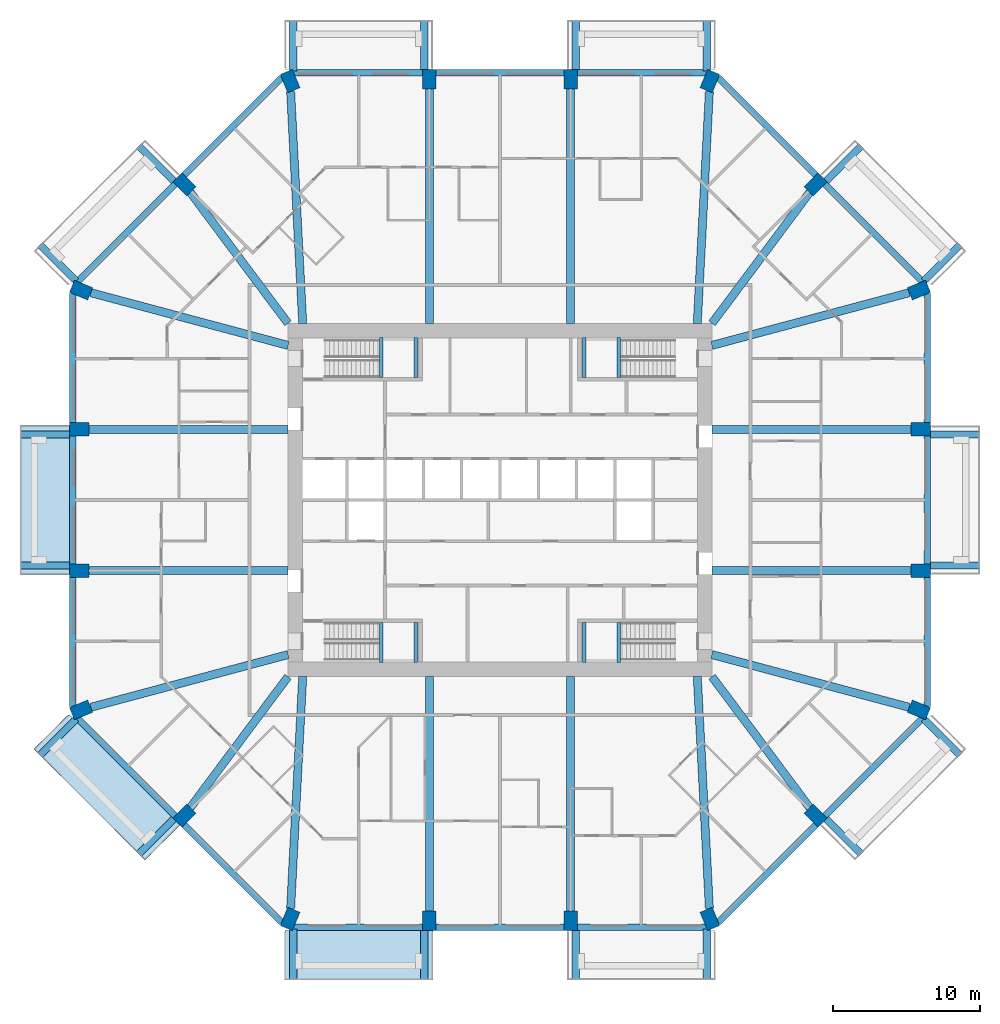
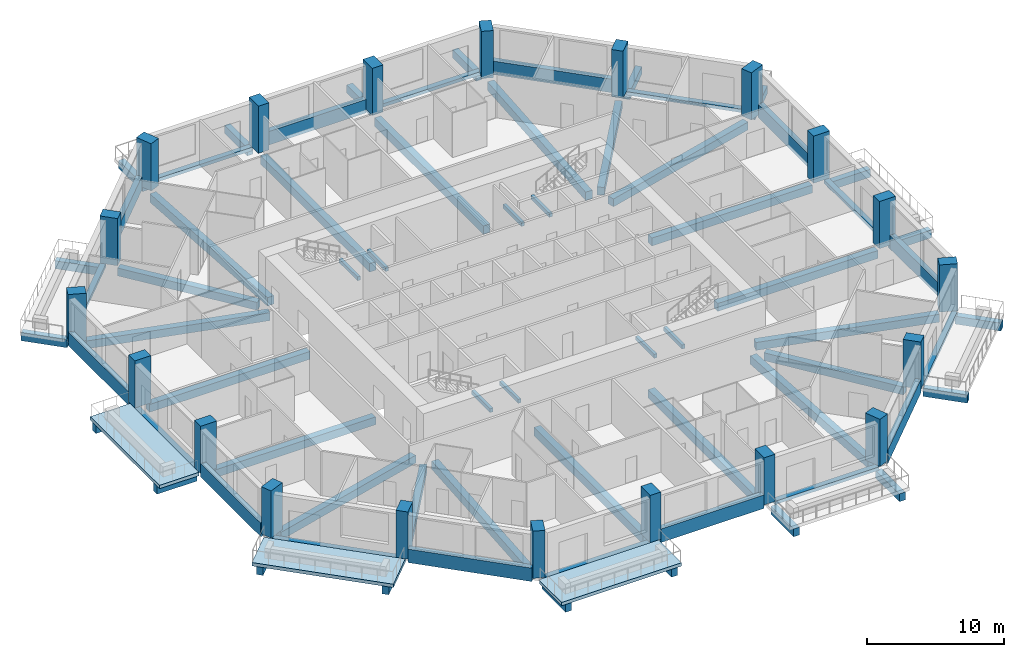
# One storey, part 1 of 13: 68 beams, 20 columns, 3 slabs.
"""IFC4 building model written with IfcOpenShell, lengths in metres."""

from ifc_helpers import new_model, si_unit, direction, frame, origin, origin_2d, place, context, subcontext, project, spatial, polyline, rectangle, outline, extrude, material, layer, layer_set, material_profile, profile_set, type_object, element, save


model = new_model("IFC4")

# Units and contexts
model_context = context("Model", 3, precision=1e-05, world=origin(), true_north=direction((0.0, 1.0)))
body_context = subcontext(model_context, "Body", "Model", "MODEL_VIEW")
ifc_project = project(units=[si_unit("LENGTHUNIT", "METRE"), si_unit("AREAUNIT", "SQUARE_METRE"), si_unit("VOLUMEUNIT", "CUBIC_METRE"), si_unit("PLANEANGLEUNIT", "RADIAN"), si_unit("MASSUNIT", "GRAM", prefix="KILO")], contexts=[model_context])

# Site, building, storey
site_placement = place(None, origin())
site = spatial("IfcSite", under=ifc_project, at=site_placement, CompositionType="ELEMENT")
building_placement = place(site_placement, origin())
building = spatial("IfcBuilding", under=site, at=building_placement, Name="Msitu Wima Residences", CompositionType="ELEMENT")
storey_placement = place(building_placement, frame((0.0, 0.0, 46.5)))
storey = spatial("IfcBuildingStorey", under=building, at=storey_placement, Name="L10", CompositionType="ELEMENT", Elevation=46.5)

# Columns
ifc_material_1 = material(Name="Concrete C80/95", Category="concrete")
ifc_material_profile_1 = material_profile(ifc_material_1, rectangle(XDim=0.89990234375, YDim=1.35009765625, at=origin_2d()), Name="RC 900x1350")
ifc_profile_set_1 = profile_set([ifc_material_profile_1], Name="Concrete C80/95")
column_type = type_object("IfcColumnType", Name="Column RC 900x1350 Concrete C80/95", PredefinedType="COLUMN", material=ifc_profile_set_1)
for number, where, z_axis, x_axis, name in (
    (1, (28.4541015625, -14.2568359375, 0.0), (0.0, 0.0, 1.0), (0.382683496864, 0.923879505795, 0.0), "Column L10 C-E0"),
    (2, (28.574951171875, -4.800048828125, 0.0), (0.0, 0.0, 1.0), (0.0, 1.0, 0.0), "Column L10 C-E1"),
    (3, (28.574951171875, 4.800048828125, 0.0), (0.0, 0.0, 1.0), (0.0, 1.0, 0.0), "Column L10 C-E2"),
    (4, (28.4541015625, 14.2568359375, 0.0), (0.0, 0.0, 1.0), (-0.382683496864, 0.923879505795, 0.0), "Column L10 C-NE0"),
    (5, (21.44091796875, 21.44091796875, 0.0), (0.0, 0.0, 1.0), (-0.707106781187, 0.707106781187, 0.0), "Column L10 C-NE1"),
    (6, (14.2568359375, 28.4541015625, 0.0), (0.0, 0.0, 1.0), (-0.923879505795, 0.382683496864, 0.0), "Column L10 C-N0"),
    (7, (4.800048828125, 28.574951171875, 0.0), (0.0, 0.0, 1.0), (-1.0, 0.0, 0.0), "Column L10 C-N1"),
    (8, (-4.800048828125, 28.574951171875, 0.0), (0.0, 0.0, 1.0), (-1.0, 0.0, 0.0), "Column L10 C-N2"),
    (9, (-14.2568359375, 28.4541015625, 0.0), (0.0, 0.0, 1.0), (-0.923879505795, -0.382683496864, 0.0), "Column L10 C-NW0"),
    (10, (-21.44091796875, 21.44091796875, 0.0), (0.0, 0.0, 1.0), (-0.707106781187, -0.707106781187, 0.0), "Column L10 C-NW1"),
    (11, (-28.4541015625, 14.2568359375, 0.0), (0.0, 0.0, 1.0), (-0.382683496864, -0.923879505795, 0.0), "Column L10 C-W0"),
    (12, (-28.574951171875, 4.800048828125, 0.0), (0.0, 0.0, 1.0), (0.0, -1.0, 0.0), "Column L10 C-W1"),
    (13, (-28.574951171875, -4.800048828125, 0.0), (0.0, 0.0, 1.0), (0.0, -1.0, 0.0), "Column L10 C-W2"),
    (14, (-28.4541015625, -14.2568359375, 0.0), (0.0, 0.0, 1.0), (0.382683496864, -0.923879505795, 0.0), "Column L10 C-SW0"),
    (15, (-21.44091796875, -21.44091796875, 0.0), (0.0, 0.0, 1.0), (0.707106781187, -0.707106781187, 0.0), "Column L10 C-SW1"),
    (16, (-14.2568359375, -28.4541015625, 0.0), (0.0, 0.0, 1.0), (0.923879505795, -0.382683496864, 0.0), "Column L10 C-S0"),
    (17, (-4.800048828125, -28.574951171875, 0.0), (0.0, 0.0, 1.0), (1.0, 0.0, 0.0), "Column L10 C-S1"),
    (18, (4.800048828125, -28.574951171875, 0.0), (0.0, 0.0, 1.0), (1.0, 0.0, 0.0), "Column L10 C-S2"),
    (19, (14.2568359375, -28.4541015625, 0.0), (0.0, 0.0, 1.0), (0.923879505795, 0.382683496864, 0.0), "Column L10 C-SE0"),
    (20, (21.44091796875, -21.44091796875, 0.0), (0.0, 0.0, 1.0), (0.707106781187, 0.707106781187, 0.0), "Column L10 C-SE1"),
):
    element("IfcColumn", number, at=place(storey_placement, frame(where, z_axis=z_axis, x_axis=x_axis)), inside=storey, type_object=column_type, Name=name, PredefinedType="COLUMN", context=body_context, shape_type="SweptSolid", body=[
        extrude(rectangle(XDim=0.89990234375, YDim=1.35009765625, at=origin_2d()), origin(), (0.0, 0.0, 1.0), 4.199951171875),
    ])

# Beams
ifc_material_2 = material(Name="Concrete C50/60", Category="concrete")
ifc_material_profile_2 = material_profile(ifc_material_2, rectangle(XDim=0.550048828125, YDim=0.699951171875, at=origin_2d()), Name="RC 550x700")
ifc_profile_set_2 = profile_set([ifc_material_profile_2], Name="Concrete C50/60")
beam_type_1 = type_object("IfcBeamType", Name="Beam RC 550x700 Concrete C50/60", PredefinedType="BEAM", material=ifc_profile_set_2)
beam_1_placement = place(storey_placement, frame((27.79638671875, -14.080810546875, -0.60009765625), z_axis=(-0.966081778408, 0.258236320891, 0.0), x_axis=(-0.258236320891, -0.966081778408, 0.0)))
element("IfcBeam", 21, at=beam_1_placement, inside=storey, type_object=beam_type_1, Name="Beam L10 C-E0", PredefinedType="BEAM", context=body_context, shape_type="SweptSolid", body=[
    extrude(rectangle(XDim=0.550048828125, YDim=0.699951171875, at=origin_2d()), origin(), (0.0, 0.0, 1.0), 13.878662109375),
])
for number, where, z_axis, x_axis, name in (
    (22, (27.89990234375, -4.800048828125, -0.60009765625), (-1.0, 0.0, 0.0), (0.0, -1.0, 0.0), "Beam L10 C-E1"),
    (23, (27.89990234375, 4.800048828125, -0.60009765625), (-1.0, 0.0, 0.0), (0.0, -1.0, 0.0), "Beam L10 C-E2"),
):
    element("IfcBeam", number, at=place(storey_placement, frame(where, z_axis=z_axis, x_axis=x_axis)), inside=storey, type_object=beam_type_1, Name=name, PredefinedType="BEAM", context=body_context, shape_type="SweptSolid", body=[
        extrude(rectangle(XDim=0.550048828125, YDim=0.699951171875, at=origin_2d()), origin(), (0.0, 0.0, 1.0), 13.5),
    ])
beam_2_placement = place(storey_placement, frame((27.79638671875, 14.080810546875, -0.60009765625), z_axis=(-0.966081778408, -0.258236320891, 0.0), x_axis=(0.258236320891, -0.966081778408, 0.0)))
element("IfcBeam", 24, at=beam_2_placement, inside=storey, type_object=beam_type_1, Name="Beam L10 C-NE0", PredefinedType="BEAM", context=body_context, shape_type="SweptSolid", body=[
    extrude(rectangle(XDim=0.550048828125, YDim=0.699951171875, at=origin_2d()), origin(), (0.0, 0.0, 1.0), 13.878662109375),
])
for number, where, z_axis, x_axis, name in (
    (25, (21.033203125, 20.89404296875, -0.60009765625), (-0.597850242031, -0.801607814398, 0.0), (0.801607814398, -0.597850242031, 0.0), "Beam L10 C-NE1"),
    (26, (-21.033203125, 20.89404296875, -0.60009765625), (0.597850242031, -0.801607814398, 0.0), (0.801607814398, 0.597850242031, 0.0), "Beam L10 C-NW1"),
):
    element("IfcBeam", number, at=place(storey_placement, frame(where, z_axis=z_axis, x_axis=x_axis)), inside=storey, type_object=beam_type_1, Name=name, PredefinedType="BEAM", context=body_context, shape_type="SweptSolid", body=[
        extrude(rectangle(XDim=0.550048828125, YDim=0.699951171875, at=origin_2d()), origin(), (0.0, 0.0, 1.0), 11.09521484375),
    ])
beam_3_placement = place(storey_placement, frame((-27.79638671875, 14.080810546875, -0.60009765625), z_axis=(0.966081778408, -0.258236320891, 0.0), x_axis=(0.258236320891, 0.966081778408, 0.0)))
element("IfcBeam", 27, at=beam_3_placement, inside=storey, type_object=beam_type_1, Name="Beam L10 C-W0", PredefinedType="BEAM", context=body_context, shape_type="SweptSolid", body=[
    extrude(rectangle(XDim=0.550048828125, YDim=0.699951171875, at=origin_2d()), origin(), (0.0, 0.0, 1.0), 13.878662109375),
])
for number, where, z_axis, x_axis, name in (
    (28, (-27.89990234375, 4.800048828125, -0.60009765625), (1.0, 0.0, 0.0), (0.0, 1.0, 0.0), "Beam L10 C-W1"),
    (29, (-27.89990234375, -4.800048828125, -0.60009765625), (1.0, 0.0, 0.0), (0.0, 1.0, 0.0), "Beam L10 C-W2"),
):
    element("IfcBeam", number, at=place(storey_placement, frame(where, z_axis=z_axis, x_axis=x_axis)), inside=storey, type_object=beam_type_1, Name=name, PredefinedType="BEAM", context=body_context, shape_type="SweptSolid", body=[
        extrude(rectangle(XDim=0.550048828125, YDim=0.699951171875, at=origin_2d()), origin(), (0.0, 0.0, 1.0), 13.5),
    ])
beam_4_placement = place(storey_placement, frame((-27.79638671875, -14.080810546875, -0.60009765625), z_axis=(0.966081778408, 0.258236320891, 0.0), x_axis=(-0.258236320891, 0.966081778408, 0.0)))
element("IfcBeam", 30, at=beam_4_placement, inside=storey, type_object=beam_type_1, Name="Beam L10 C-SW0", PredefinedType="BEAM", context=body_context, shape_type="SweptSolid", body=[
    extrude(rectangle(XDim=0.550048828125, YDim=0.699951171875, at=origin_2d()), origin(), (0.0, 0.0, 1.0), 13.878662109375),
])
for number, where, z_axis, x_axis, name in (
    (31, (-21.033203125, -20.89404296875, -0.60009765625), (0.597850242031, 0.801607814398, 0.0), (-0.801607814398, 0.597850242031, 0.0), "Beam L10 C-SW1"),
    (32, (21.033203125, -20.89404296875, -0.60009765625), (-0.597850242031, 0.801607814398, 0.0), (-0.801607814398, -0.597850242031, 0.0), "Beam L10 C-SE1"),
):
    element("IfcBeam", number, at=place(storey_placement, frame(where, z_axis=z_axis, x_axis=x_axis)), inside=storey, type_object=beam_type_1, Name=name, PredefinedType="BEAM", context=body_context, shape_type="SweptSolid", body=[
        extrude(rectangle(XDim=0.550048828125, YDim=0.699951171875, at=origin_2d()), origin(), (0.0, 0.0, 1.0), 11.09521484375),
    ])
ifc_material_profile_3 = material_profile(ifc_material_2, rectangle(XDim=0.550048828125, YDim=0.75, at=origin_2d()), Name="RC 550x750")
ifc_profile_set_3 = profile_set([ifc_material_profile_3], Name="Concrete C50/60")
beam_type_2 = type_object("IfcBeamType", Name="Beam RC 550x750 Concrete C50/60", PredefinedType="BEAM", material=ifc_profile_set_3)
beam_5_placement = place(storey_placement, frame((14.219482421875, 27.739013671875, -0.625), z_axis=(-0.05199418091, -0.998647387796, 0.0), x_axis=(0.998647387796, -0.05199418091, 0.0)))
element("IfcBeam", 33, at=beam_5_placement, inside=storey, type_object=beam_type_2, Name="Beam L10 C-N0", PredefinedType="BEAM", context=body_context, shape_type="SweptSolid", body=[
    extrude(rectangle(XDim=0.550048828125, YDim=0.75, at=origin_2d()), origin(), (0.0, 0.0, 1.0), 15.772216796875),
])
for number, where, z_axis, x_axis, name in (
    (34, (4.800048828125, 27.89990234375, -0.625), (0.0, -1.0, 0.0), (1.0, 0.0, 0.0), "Beam L10 C-N1"),
    (35, (-4.800048828125, 27.89990234375, -0.625), (0.0, -1.0, 0.0), (1.0, 0.0, 0.0), "Beam L10 C-N2"),
):
    element("IfcBeam", number, at=place(storey_placement, frame(where, z_axis=z_axis, x_axis=x_axis)), inside=storey, type_object=beam_type_2, Name=name, PredefinedType="BEAM", context=body_context, shape_type="SweptSolid", body=[
        extrude(rectangle(XDim=0.550048828125, YDim=0.75, at=origin_2d()), origin(), (0.0, 0.0, 1.0), 15.89990234375),
    ])
for number, where, z_axis, x_axis, name in (
    (36, (-14.219482421875, 27.739013671875, -0.625), (0.05199418091, -0.998647387796, 0.0), (0.998647387796, 0.05199418091, 0.0), "Beam L10 C-NW0"),
    (37, (-14.219482421875, -27.739013671875, -0.625), (0.05199418091, 0.998647387796, 0.0), (-0.998647387796, 0.05199418091, 0.0), "Beam L10 C-S0"),
):
    element("IfcBeam", number, at=place(storey_placement, frame(where, z_axis=z_axis, x_axis=x_axis)), inside=storey, type_object=beam_type_2, Name=name, PredefinedType="BEAM", context=body_context, shape_type="SweptSolid", body=[
        extrude(rectangle(XDim=0.550048828125, YDim=0.75, at=origin_2d()), origin(), (0.0, 0.0, 1.0), 15.772216796875),
    ])
for number, where, z_axis, x_axis, name in (
    (38, (-4.800048828125, -27.89990234375, -0.625), (0.0, 1.0, 0.0), (-1.0, 0.0, 0.0), "Beam L10 C-S1"),
    (39, (4.800048828125, -27.89990234375, -0.625), (0.0, 1.0, 0.0), (-1.0, 0.0, 0.0), "Beam L10 C-S2"),
):
    element("IfcBeam", number, at=place(storey_placement, frame(where, z_axis=z_axis, x_axis=x_axis)), inside=storey, type_object=beam_type_2, Name=name, PredefinedType="BEAM", context=body_context, shape_type="SweptSolid", body=[
        extrude(rectangle(XDim=0.550048828125, YDim=0.75, at=origin_2d()), origin(), (0.0, 0.0, 1.0), 15.89990234375),
    ])
beam_6_placement = place(storey_placement, frame((14.219482421875, -27.739013671875, -0.625), z_axis=(-0.05199418091, 0.998647387796, 0.0), x_axis=(-0.998647387796, -0.05199418091, 0.0)))
element("IfcBeam", 40, at=beam_6_placement, inside=storey, type_object=beam_type_2, Name="Beam L10 C-SE0", PredefinedType="BEAM", context=body_context, shape_type="SweptSolid", body=[
    extrude(rectangle(XDim=0.550048828125, YDim=0.75, at=origin_2d()), origin(), (0.0, 0.0, 1.0), 15.772216796875),
])
ifc_material_profile_4 = material_profile(ifc_material_2, rectangle(XDim=0.5, YDim=0.699951171875, at=origin_2d()), Name="RC 500x700")
ifc_profile_set_4 = profile_set([ifc_material_profile_4], Name="Concrete C50/60")
beam_type_3 = type_object("IfcBeamType", Name="Cantilever beam RC 500x700 Concrete C50/60", PredefinedType="BEAM", material=ifc_profile_set_4)
for number, where, z_axis, x_axis, name in (
    (41, (29.25, -4.449951171875, -0.64990234375), (1.0, 0.0, 0.0), (0.0, 1.0, 0.0), "Cantilever beam L10 BA-E1 A"),
    (42, (29.25, 4.449951171875, -0.64990234375), (1.0, 0.0, 0.0), (0.0, 1.0, 0.0), "Cantilever beam L10 BA-E1 B"),
):
    element("IfcBeam", number, at=place(storey_placement, frame(where, z_axis=z_axis, x_axis=x_axis)), inside=storey, type_object=beam_type_3, Name=name, PredefinedType="BEAM", context=body_context, shape_type="SweptSolid", body=[
        extrude(rectangle(XDim=0.5, YDim=0.699951171875, at=origin_2d()), origin(), (0.0, 0.0, 1.0), 3.35009765625),
    ])
beam_7_placement = place(storey_placement, frame((28.78662109375, 14.881591796875, -0.64990234375), z_axis=(0.707106781187, 0.707106781187, 0.0), x_axis=(-0.707106781187, 0.707106781187, 0.0)))
element("IfcBeam", 43, at=beam_7_placement, inside=storey, type_object=beam_type_3, Name="Cantilever beam L10 BA-NE0 A", PredefinedType="BEAM", context=body_context, shape_type="SweptSolid", body=[
    extrude(rectangle(XDim=0.5, YDim=0.699951171875, at=origin_2d()), origin(), (0.0, 0.0, 1.0), 3.468994140625),
])
beam_8_placement = place(storey_placement, frame((22.165771484375, 21.670654296875, -0.64990234375), z_axis=(0.707070340836, 0.707143219659, 0.0), x_axis=(-0.707143219659, 0.707070340836, 0.0)))
element("IfcBeam", 44, at=beam_8_placement, inside=storey, type_object=beam_type_3, Name="Cantilever beam L10 BA-NE0 B", PredefinedType="BEAM", context=body_context, shape_type="SweptSolid", body=[
    extrude(rectangle(XDim=0.5, YDim=0.699951171875, at=origin_2d()), origin(), (0.0, 0.0, 1.0), 3.349853515625),
])
beam_9_placement = place(storey_placement, frame((14.050048828125, 29.130859375, -0.64990234375), z_axis=(0.0, 1.0, 0.0), x_axis=(-1.0, 0.0, 0.0)))
element("IfcBeam", 45, at=beam_9_placement, inside=storey, type_object=beam_type_3, Name="Cantilever beam L10 BA-N0 A", PredefinedType="BEAM", context=body_context, shape_type="SweptSolid", body=[
    extrude(rectangle(XDim=0.5, YDim=0.699951171875, at=origin_2d()), origin(), (0.0, 0.0, 1.0), 3.46923828125),
])
for number, where, z_axis, x_axis, name in (
    (46, (5.14990234375, 29.25, -0.64990234375), (0.0, 1.0, 0.0), (-1.0, 0.0, 0.0), "Cantilever beam L10 BA-N0 B"),
    (47, (-5.14990234375, 29.25, -0.64990234375), (0.0, 1.0, 0.0), (-1.0, 0.0, 0.0), "Cantilever beam L10 BA-N2 A"),
):
    element("IfcBeam", number, at=place(storey_placement, frame(where, z_axis=z_axis, x_axis=x_axis)), inside=storey, type_object=beam_type_3, Name=name, PredefinedType="BEAM", context=body_context, shape_type="SweptSolid", body=[
        extrude(rectangle(XDim=0.5, YDim=0.699951171875, at=origin_2d()), origin(), (0.0, 0.0, 1.0), 3.35009765625),
    ])
beam_10_placement = place(storey_placement, frame((-14.050048828125, 29.130859375, -0.64990234375), z_axis=(0.0, 1.0, 0.0), x_axis=(-1.0, 0.0, 0.0)))
element("IfcBeam", 48, at=beam_10_placement, inside=storey, type_object=beam_type_3, Name="Cantilever beam L10 BA-N2 B", PredefinedType="BEAM", context=body_context, shape_type="SweptSolid", body=[
    extrude(rectangle(XDim=0.5, YDim=0.699951171875, at=origin_2d()), origin(), (0.0, 0.0, 1.0), 3.46923828125),
])
beam_11_placement = place(storey_placement, frame((-22.165771484375, 21.670654296875, -0.64990234375), z_axis=(-0.707070340836, 0.707143219659, 0.0), x_axis=(-0.707143219659, -0.707070340836, 0.0)))
element("IfcBeam", 49, at=beam_11_placement, inside=storey, type_object=beam_type_3, Name="Cantilever beam L10 BA-NW1 A", PredefinedType="BEAM", context=body_context, shape_type="SweptSolid", body=[
    extrude(rectangle(XDim=0.5, YDim=0.699951171875, at=origin_2d()), origin(), (0.0, 0.0, 1.0), 3.349853515625),
])
beam_12_placement = place(storey_placement, frame((-28.78662109375, 14.881591796875, -0.64990234375), z_axis=(-0.707106781187, 0.707106781187, 0.0), x_axis=(-0.707106781187, -0.707106781187, 0.0)))
element("IfcBeam", 50, at=beam_12_placement, inside=storey, type_object=beam_type_3, Name="Cantilever beam L10 BA-NW1 B", PredefinedType="BEAM", context=body_context, shape_type="SweptSolid", body=[
    extrude(rectangle(XDim=0.5, YDim=0.699951171875, at=origin_2d()), origin(), (0.0, 0.0, 1.0), 3.468994140625),
])
for number, where, z_axis, x_axis, name in (
    (51, (-29.25, 4.449951171875, -0.64990234375), (-1.0, 0.0, 0.0), (0.0, -1.0, 0.0), "Cantilever beam L10 BA-W1 A"),
    (52, (-29.25, -4.449951171875, -0.64990234375), (-1.0, 0.0, 0.0), (0.0, -1.0, 0.0), "Cantilever beam L10 BA-W1 B"),
):
    element("IfcBeam", number, at=place(storey_placement, frame(where, z_axis=z_axis, x_axis=x_axis)), inside=storey, type_object=beam_type_3, Name=name, PredefinedType="BEAM", context=body_context, shape_type="SweptSolid", body=[
        extrude(rectangle(XDim=0.5, YDim=0.699951171875, at=origin_2d()), origin(), (0.0, 0.0, 1.0), 3.35009765625),
    ])
beam_13_placement = place(storey_placement, frame((-28.78662109375, -14.881591796875, -0.64990234375), z_axis=(-0.707106781187, -0.707106781187, 0.0), x_axis=(0.707106781187, -0.707106781187, 0.0)))
element("IfcBeam", 53, at=beam_13_placement, inside=storey, type_object=beam_type_3, Name="Cantilever beam L10 BA-SW0 A", PredefinedType="BEAM", context=body_context, shape_type="SweptSolid", body=[
    extrude(rectangle(XDim=0.5, YDim=0.699951171875, at=origin_2d()), origin(), (0.0, 0.0, 1.0), 3.468994140625),
])
beam_14_placement = place(storey_placement, frame((-22.165771484375, -21.670654296875, -0.64990234375), z_axis=(-0.707070340836, -0.707143219659, 0.0), x_axis=(0.707143219659, -0.707070340836, 0.0)))
element("IfcBeam", 54, at=beam_14_placement, inside=storey, type_object=beam_type_3, Name="Cantilever beam L10 BA-SW0 B", PredefinedType="BEAM", context=body_context, shape_type="SweptSolid", body=[
    extrude(rectangle(XDim=0.5, YDim=0.699951171875, at=origin_2d()), origin(), (0.0, 0.0, 1.0), 3.349853515625),
])
beam_15_placement = place(storey_placement, frame((-14.050048828125, -29.130859375, -0.64990234375), z_axis=(0.0, -1.0, 0.0), x_axis=(1.0, 0.0, 0.0)))
element("IfcBeam", 55, at=beam_15_placement, inside=storey, type_object=beam_type_3, Name="Cantilever beam L10 BA-S0 A", PredefinedType="BEAM", context=body_context, shape_type="SweptSolid", body=[
    extrude(rectangle(XDim=0.5, YDim=0.699951171875, at=origin_2d()), origin(), (0.0, 0.0, 1.0), 3.46923828125),
])
for number, where, z_axis, x_axis, name in (
    (56, (-5.14990234375, -29.25, -0.64990234375), (0.0, -1.0, 0.0), (1.0, 0.0, 0.0), "Cantilever beam L10 BA-S0 B"),
    (57, (5.14990234375, -29.25, -0.64990234375), (0.0, -1.0, 0.0), (1.0, 0.0, 0.0), "Cantilever beam L10 BA-S2 A"),
):
    element("IfcBeam", number, at=place(storey_placement, frame(where, z_axis=z_axis, x_axis=x_axis)), inside=storey, type_object=beam_type_3, Name=name, PredefinedType="BEAM", context=body_context, shape_type="SweptSolid", body=[
        extrude(rectangle(XDim=0.5, YDim=0.699951171875, at=origin_2d()), origin(), (0.0, 0.0, 1.0), 3.35009765625),
    ])
beam_16_placement = place(storey_placement, frame((14.050048828125, -29.130859375, -0.64990234375), z_axis=(0.0, -1.0, 0.0), x_axis=(1.0, 0.0, 0.0)))
element("IfcBeam", 58, at=beam_16_placement, inside=storey, type_object=beam_type_3, Name="Cantilever beam L10 BA-S2 B", PredefinedType="BEAM", context=body_context, shape_type="SweptSolid", body=[
    extrude(rectangle(XDim=0.5, YDim=0.699951171875, at=origin_2d()), origin(), (0.0, 0.0, 1.0), 3.46923828125),
])
beam_17_placement = place(storey_placement, frame((22.165771484375, -21.670654296875, -0.64990234375), z_axis=(0.707070340836, -0.707143219659, 0.0), x_axis=(0.707143219659, 0.707070340836, 0.0)))
element("IfcBeam", 59, at=beam_17_placement, inside=storey, type_object=beam_type_3, Name="Cantilever beam L10 BA-SE1 A", PredefinedType="BEAM", context=body_context, shape_type="SweptSolid", body=[
    extrude(rectangle(XDim=0.5, YDim=0.699951171875, at=origin_2d()), origin(), (0.0, 0.0, 1.0), 3.349853515625),
])
beam_18_placement = place(storey_placement, frame((28.78662109375, -14.881591796875, -0.64990234375), z_axis=(0.707106781187, -0.707106781187, 0.0), x_axis=(0.707106781187, 0.707106781187, 0.0)))
element("IfcBeam", 60, at=beam_18_placement, inside=storey, type_object=beam_type_3, Name="Cantilever beam L10 BA-SE1 B", PredefinedType="BEAM", context=body_context, shape_type="SweptSolid", body=[
    extrude(rectangle(XDim=0.5, YDim=0.699951171875, at=origin_2d()), origin(), (0.0, 0.0, 1.0), 3.468994140625),
])
ifc_material_profile_5 = material_profile(ifc_material_2, rectangle(XDim=0.449951171875, YDim=0.300048828125, at=origin_2d()), Name="RC 450x300")
ifc_profile_set_5 = profile_set([ifc_material_profile_5], Name="Concrete C50/60")
beam_type_4 = type_object("IfcBeamType", Name="Edge beam RC 450x300 Concrete C50/60", PredefinedType="SPANDREL", material=ifc_profile_set_5)
beam_19_placement = place(storey_placement, frame((29.02490234375, -4.35009765625, -0.14990234375), z_axis=(0.0, 1.0, 0.0), x_axis=(-1.0, 0.0, 0.0)))
element("IfcBeam", 61, at=beam_19_placement, inside=storey, type_object=beam_type_4, Name="Spandrel L10 E1", PredefinedType="SPANDREL", context=body_context, shape_type="SweptSolid", body=[
    extrude(rectangle(XDim=0.449951171875, YDim=0.300048828125, at=origin_2d()), origin(), (0.0, 0.0, 1.0), 8.7001953125),
])
beam_20_placement = place(storey_placement, frame((28.68896484375, 14.8291015625, -0.14990234375), z_axis=(-0.707093725903, 0.707119836229, 0.0), x_axis=(-0.707119836229, -0.707093725903, 0.0)))
element("IfcBeam", 62, at=beam_20_placement, inside=storey, type_object=beam_type_4, Name="Spandrel L10 NE0", PredefinedType="SPANDREL", context=body_context, shape_type="SweptSolid", body=[
    extrude(rectangle(XDim=0.449951171875, YDim=0.300048828125, at=origin_2d()), origin(), (0.0, 0.0, 1.0), 9.350341796875),
])
for number, where, z_axis, x_axis, name in (
    (63, (14.01806640625, 29.02490234375, -0.14990234375), (-1.0, 0.0, 0.0), (0.0, -1.0, 0.0), "Spandrel L10 N0"),
    (64, (-5.25, 29.02490234375, -0.14990234375), (-1.0, 0.0, 0.0), (0.0, -1.0, 0.0), "Spandrel L10 N2"),
):
    element("IfcBeam", number, at=place(storey_placement, frame(where, z_axis=z_axis, x_axis=x_axis)), inside=storey, type_object=beam_type_4, Name=name, PredefinedType="SPANDREL", context=body_context, shape_type="SweptSolid", body=[
        extrude(rectangle(XDim=0.449951171875, YDim=0.300048828125, at=origin_2d()), origin(), (0.0, 0.0, 1.0), 8.76806640625),
    ])
beam_21_placement = place(storey_placement, frame((-22.077392578125, 21.44091796875, -0.14990234375), z_axis=(-0.707093725903, -0.707119836229, 0.0), x_axis=(0.707119836229, -0.707093725903, 0.0)))
element("IfcBeam", 65, at=beam_21_placement, inside=storey, type_object=beam_type_4, Name="Spandrel L10 NW1", PredefinedType="SPANDREL", context=body_context, shape_type="SweptSolid", body=[
    extrude(rectangle(XDim=0.449951171875, YDim=0.300048828125, at=origin_2d()), origin(), (0.0, 0.0, 1.0), 9.350341796875),
])
beam_22_placement = place(storey_placement, frame((-29.02490234375, 4.35009765625, -0.14990234375), z_axis=(0.0, -1.0, 0.0), x_axis=(1.0, 0.0, 0.0)))
element("IfcBeam", 66, at=beam_22_placement, inside=storey, type_object=beam_type_4, Name="Spandrel L10 W1", PredefinedType="SPANDREL", context=body_context, shape_type="SweptSolid", body=[
    extrude(rectangle(XDim=0.449951171875, YDim=0.300048828125, at=origin_2d()), origin(), (0.0, 0.0, 1.0), 8.7001953125),
])
beam_23_placement = place(storey_placement, frame((-28.68896484375, -14.8291015625, -0.14990234375), z_axis=(0.707093725903, -0.707119836229, 0.0), x_axis=(0.707119836229, 0.707093725903, 0.0)))
element("IfcBeam", 67, at=beam_23_placement, inside=storey, type_object=beam_type_4, Name="Spandrel L10 SW0", PredefinedType="SPANDREL", context=body_context, shape_type="SweptSolid", body=[
    extrude(rectangle(XDim=0.449951171875, YDim=0.300048828125, at=origin_2d()), origin(), (0.0, 0.0, 1.0), 9.350341796875),
])
for number, where, z_axis, x_axis, name in (
    (68, (-14.01806640625, -29.02490234375, -0.14990234375), (1.0, 0.0, 0.0), (0.0, 1.0, 0.0), "Spandrel L10 S0"),
    (69, (5.25, -29.02490234375, -0.14990234375), (1.0, 0.0, 0.0), (0.0, 1.0, 0.0), "Spandrel L10 S2"),
):
    element("IfcBeam", number, at=place(storey_placement, frame(where, z_axis=z_axis, x_axis=x_axis)), inside=storey, type_object=beam_type_4, Name=name, PredefinedType="SPANDREL", context=body_context, shape_type="SweptSolid", body=[
        extrude(rectangle(XDim=0.449951171875, YDim=0.300048828125, at=origin_2d()), origin(), (0.0, 0.0, 1.0), 8.76806640625),
    ])
beam_24_placement = place(storey_placement, frame((22.077392578125, -21.44091796875, -0.14990234375), z_axis=(0.707093725903, 0.707119836229, 0.0), x_axis=(-0.707119836229, 0.707093725903, 0.0)))
element("IfcBeam", 70, at=beam_24_placement, inside=storey, type_object=beam_type_4, Name="Spandrel L10 SE1", PredefinedType="SPANDREL", context=body_context, shape_type="SweptSolid", body=[
    extrude(rectangle(XDim=0.449951171875, YDim=0.300048828125, at=origin_2d()), origin(), (0.0, 0.0, 1.0), 9.350341796875),
])
ifc_material_3 = material(Name="Concrete C40/50", Category="concrete")
ifc_material_profile_6 = material_profile(ifc_material_3, rectangle(XDim=0.25, YDim=0.35009765625, at=origin_2d()), Name="RC 250x350")
ifc_profile_set_6 = profile_set([ifc_material_profile_6], Name="Concrete C40/50")
beam_type_5 = type_object("IfcBeamType", Name="Landing beam RC 250x350", PredefinedType="BEAM", material=ifc_profile_set_6)
for number, where, z_axis, x_axis, name in (
    (71, (-8.074951171875, 8.324951171875, 1.72509765625), (0.0, 1.0, 0.0), (-1.0, 0.0, 0.0), "Stair 1 landing beam"),
    (72, (-5.72509765625, 8.324951171875, 1.72509765625), (0.0, 1.0, 0.0), (-1.0, 0.0, 0.0), "Stair 1 landing beam"),
    (73, (-8.074951171875, -11.02490234375, 1.72509765625), (0.0, 1.0, 0.0), (-1.0, 0.0, 0.0), "Stair 2 landing beam"),
    (74, (-5.72509765625, -11.02490234375, 1.72509765625), (0.0, 1.0, 0.0), (-1.0, 0.0, 0.0), "Stair 2 landing beam"),
    (75, (8.074951171875, 8.324951171875, 1.72509765625), (0.0, 1.0, 0.0), (-1.0, 0.0, 0.0), "Stair 3 landing beam"),
    (76, (5.72509765625, 8.324951171875, 1.72509765625), (0.0, 1.0, 0.0), (-1.0, 0.0, 0.0), "Stair 3 landing beam"),
    (77, (8.074951171875, -11.02490234375, 1.72509765625), (0.0, 1.0, 0.0), (-1.0, 0.0, 0.0), "Stair 4 landing beam"),
    (78, (5.72509765625, -11.02490234375, 1.72509765625), (0.0, 1.0, 0.0), (-1.0, 0.0, 0.0), "Stair 4 landing beam"),
):
    element("IfcBeam", number, at=place(storey_placement, frame(where, z_axis=z_axis, x_axis=x_axis)), inside=storey, type_object=beam_type_5, Name=name, PredefinedType="BEAM", context=body_context, shape_type="SweptSolid", body=[
        extrude(rectangle(XDim=0.25, YDim=0.35009765625, at=origin_2d()), origin(), (0.0, 0.0, 1.0), 2.699951171875),
    ])
ifc_material_profile_7 = material_profile(ifc_material_2, rectangle(XDim=0.449951171875, YDim=1.199951171875, at=origin_2d()), Name="RC 450x1200")
ifc_profile_set_7 = profile_set([ifc_material_profile_7], Name="Concrete C50/60")
beam_type_6 = type_object("IfcBeamType", Name="Spandrel RC 450x1200 Concrete C50/60", PredefinedType="SPANDREL", material=ifc_profile_set_7)
for number, where, z_axis, x_axis, name in (
    (79, (29.02490234375, -14.01806640625, 0.300048828125), (0.0, 1.0, 0.0), (-1.0, 0.0, 0.0), "Spandrel L10 E0"),
    (80, (29.02490234375, 5.25, 0.300048828125), (0.0, 1.0, 0.0), (-1.0, 0.0, 0.0), "Spandrel L10 E2"),
):
    element("IfcBeam", number, at=place(storey_placement, frame(where, z_axis=z_axis, x_axis=x_axis)), inside=storey, type_object=beam_type_6, Name=name, PredefinedType="SPANDREL", context=body_context, shape_type="SweptSolid", body=[
        extrude(rectangle(XDim=0.449951171875, YDim=1.199951171875, at=origin_2d()), origin(), (0.0, 0.0, 1.0), 8.76806640625),
    ])
beam_25_placement = place(storey_placement, frame((21.44091796875, 22.077392578125, 0.300048828125), z_axis=(-0.707119836229, 0.707093725903, 0.0), x_axis=(-0.707093725903, -0.707119836229, 0.0)))
element("IfcBeam", 81, at=beam_25_placement, inside=storey, type_object=beam_type_6, Name="Spandrel L10 NE1", PredefinedType="SPANDREL", context=body_context, shape_type="SweptSolid", body=[
    extrude(rectangle(XDim=0.449951171875, YDim=1.199951171875, at=origin_2d()), origin(), (0.0, 0.0, 1.0), 9.350341796875),
])
beam_26_placement = place(storey_placement, frame((4.35009765625, 29.02490234375, 0.300048828125), z_axis=(-1.0, 0.0, 0.0), x_axis=(0.0, -1.0, 0.0)))
element("IfcBeam", 82, at=beam_26_placement, inside=storey, type_object=beam_type_6, Name="Spandrel L10 N1", PredefinedType="SPANDREL", context=body_context, shape_type="SweptSolid", body=[
    extrude(rectangle(XDim=0.449951171875, YDim=1.199951171875, at=origin_2d()), origin(), (0.0, 0.0, 1.0), 8.7001953125),
])
beam_27_placement = place(storey_placement, frame((-14.8291015625, 28.68896484375, 0.300048828125), z_axis=(-0.707119836229, -0.707093725903, 0.0), x_axis=(0.707093725903, -0.707119836229, 0.0)))
element("IfcBeam", 83, at=beam_27_placement, inside=storey, type_object=beam_type_6, Name="Spandrel L10 NW0", PredefinedType="SPANDREL", context=body_context, shape_type="SweptSolid", body=[
    extrude(rectangle(XDim=0.449951171875, YDim=1.199951171875, at=origin_2d()), origin(), (0.0, 0.0, 1.0), 9.350341796875),
])
for number, where, z_axis, x_axis, name in (
    (84, (-29.02490234375, 14.01806640625, 0.300048828125), (0.0, -1.0, 0.0), (1.0, 0.0, 0.0), "Spandrel L10 W0"),
    (85, (-29.02490234375, -5.25, 0.300048828125), (0.0, -1.0, 0.0), (1.0, 0.0, 0.0), "Spandrel L10 W2"),
):
    element("IfcBeam", number, at=place(storey_placement, frame(where, z_axis=z_axis, x_axis=x_axis)), inside=storey, type_object=beam_type_6, Name=name, PredefinedType="SPANDREL", context=body_context, shape_type="SweptSolid", body=[
        extrude(rectangle(XDim=0.449951171875, YDim=1.199951171875, at=origin_2d()), origin(), (0.0, 0.0, 1.0), 8.76806640625),
    ])
beam_28_placement = place(storey_placement, frame((-21.44091796875, -22.077392578125, 0.300048828125), z_axis=(0.707119836229, -0.707093725903, 0.0), x_axis=(0.707093725903, 0.707119836229, 0.0)))
element("IfcBeam", 86, at=beam_28_placement, inside=storey, type_object=beam_type_6, Name="Spandrel L10 SW1", PredefinedType="SPANDREL", context=body_context, shape_type="SweptSolid", body=[
    extrude(rectangle(XDim=0.449951171875, YDim=1.199951171875, at=origin_2d()), origin(), (0.0, 0.0, 1.0), 9.350341796875),
])
beam_29_placement = place(storey_placement, frame((-4.35009765625, -29.02490234375, 0.300048828125), z_axis=(1.0, 0.0, 0.0), x_axis=(0.0, 1.0, 0.0)))
element("IfcBeam", 87, at=beam_29_placement, inside=storey, type_object=beam_type_6, Name="Spandrel L10 S1", PredefinedType="SPANDREL", context=body_context, shape_type="SweptSolid", body=[
    extrude(rectangle(XDim=0.449951171875, YDim=1.199951171875, at=origin_2d()), origin(), (0.0, 0.0, 1.0), 8.7001953125),
])
beam_30_placement = place(storey_placement, frame((14.8291015625, -28.68896484375, 0.300048828125), z_axis=(0.707119836229, 0.707093725903, 0.0), x_axis=(-0.707093725903, 0.707119836229, 0.0)))
element("IfcBeam", 88, at=beam_30_placement, inside=storey, type_object=beam_type_6, Name="Spandrel L10 SE0", PredefinedType="SPANDREL", context=body_context, shape_type="SweptSolid", body=[
    extrude(rectangle(XDim=0.449951171875, YDim=1.199951171875, at=origin_2d()), origin(), (0.0, 0.0, 1.0), 9.350341796875),
])

# Slabs
ifc_layer = layer(ifc_material_3, 0.300048828125)
ifc_layer_set = layer_set([ifc_layer], Name="Concrete C40/50")
slab_type = type_object("IfcSlabType", Name="Balcony slab BS300", PredefinedType="FLOOR", material=ifc_layer_set)
slab_1_placement = place(storey_placement, frame((0.0, 0.0, -0.300048828125)))
element("IfcSlab", 89, at=slab_1_placement, inside=storey, type_object=slab_type, Name="Balcony W1 L10", PredefinedType="FLOOR", context=body_context, shape_type="SweptSolid", body=[
    extrude(outline(polyline([(-29.25, 4.35009765625), (-29.25, -4.35009765625), (-29.25, -5.050048828125), (-32.60009765625, -5.050048828125), (-32.60009765625, 5.050048828125), (-29.25, 5.050048828125), (-29.25, 4.35009765625)])), origin(), (0.0, 0.0, 1.0), 0.300048828125),
])
slab_2_placement = place(storey_placement, frame((0.0, 0.0, -0.300048828125)))
element("IfcSlab", 90, at=slab_2_placement, inside=storey, type_object=slab_type, Name="Balcony SW0 L10", PredefinedType="FLOOR", context=body_context, shape_type="SweptSolid", body=[
    extrude(outline(polyline([(-24.1103515625, -24.4638671875), (-31.663818359375, -16.91015625), (-29.403564453125, -14.64990234375), (-29.25, -14.58642578125), (-21.741455078125, -22.094970703125), (-24.1103515625, -24.4638671875)])), origin(), (0.0, 0.0, 1.0), 0.300048828125),
])
slab_3_placement = place(storey_placement, frame((0.0, 0.0, -0.300048828125)))
element("IfcSlab", 91, at=slab_3_placement, inside=storey, type_object=slab_type, Name="Balcony S0 L10", PredefinedType="FLOOR", context=body_context, shape_type="SweptSolid", body=[
    extrude(outline(polyline([(-14.099365234375, -29.25), (-14.099365234375, -29.25), (-5.25, -29.25), (-4.550048828125, -29.25), (-4.550048828125, -32.60009765625), (-14.64990234375, -32.60009765625), (-14.64990234375, -29.403564453125), (-14.58642578125, -29.25), (-14.099365234375, -29.25), (-14.099365234375, -29.25)])), origin(), (0.0, 0.0, 1.0), 0.300048828125),
])

save(model, "model.ifc")
